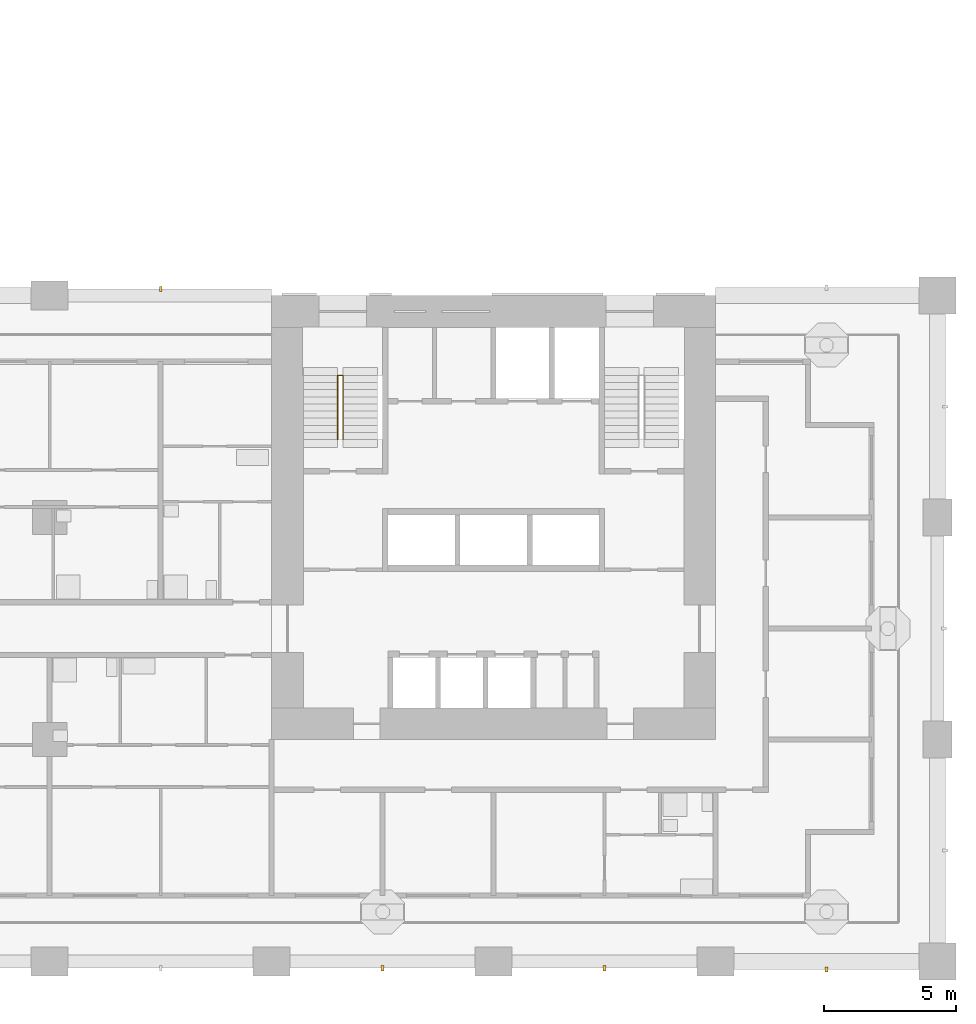
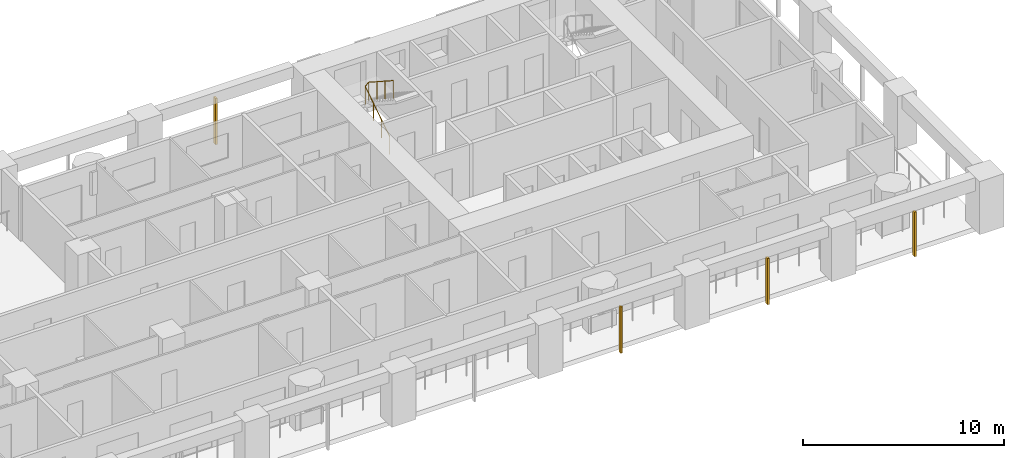
# One storey, part 12 of 20: 4 shading devices, 1 railing.
"""IFC4 building model written with IfcOpenShell, lengths in metres."""

from ifc_helpers import new_model, si_unit, direction, frame, origin, origin_2d, place, context, subcontext, project, spatial, rectangle, circle, extrude, material, material_profile, profile_set, type_object, element, save


model = new_model("IFC4")

# Units and contexts
model_context = context("Model", 3, precision=1e-05, world=origin(), true_north=direction((0.0, 1.0)))
body_context = subcontext(model_context, "Body", "Model", "MODEL_VIEW")
ifc_project = project(units=[si_unit("LENGTHUNIT", "METRE"), si_unit("AREAUNIT", "SQUARE_METRE"), si_unit("VOLUMEUNIT", "CUBIC_METRE"), si_unit("PLANEANGLEUNIT", "RADIAN"), si_unit("MASSUNIT", "GRAM", prefix="KILO")], contexts=[model_context])

# Site, building, storey
site_placement = place(None, origin())
site = spatial("IfcSite", under=ifc_project, at=site_placement, CompositionType="ELEMENT")
building_placement = place(site_placement, origin())
building = spatial("IfcBuilding", under=site, at=building_placement, Name="Vermilion Gate Residences", CompositionType="ELEMENT")
storey_placement = place(building_placement, frame((0.0, 0.0, 39.199951171875)))
storey = spatial("IfcBuildingStorey", under=building, at=storey_placement, Name="L08", CompositionType="ELEMENT", Elevation=39.199951171875)

# Railing
ifc_material_1 = material(Name="Steel S355", Category="steel")
railing_type = type_object("IfcRailingType", Name="STAIR GUARD 1100 STEEL", PredefinedType="GUARDRAIL", material=ifc_material_1)
railing_placement = place(storey_placement, frame((44.5, 19.75, 0.175048828125)))
element("IfcRailing", 1, at=railing_placement, inside=storey, type_object=railing_type, Name="Stair well guard STA1-08", PredefinedType="GUARDRAIL", context=body_context, shape_type="SweptSolid", body=[
    extrude(circle(Radius=0.02392578125, at=origin_2d()), frame((0.0, 0.0, 1.076171875), z_axis=(0.0, 0.839153699163, 0.543894354798), x_axis=(-1.0, 0.0, 0.0)), (0.0, 0.0, 1.0), 2.895751953125),
    extrude(circle(Radius=0.02392578125, at=origin_2d()), frame((0.0, 2.429931640625, 2.65087890625), z_axis=(0.752405939678, 0.0, 0.658699705433), x_axis=(0.0, 1.0, 0.0)), (0.0, 0.0, 1.0), 0.265869140625),
    extrude(circle(Radius=0.02392578125, at=origin_2d()), frame((0.199951171875, 2.429931640625, 2.826171875), z_axis=(0.0, -0.839153699163, 0.543894354798), x_axis=(1.0, 0.0, 0.0)), (0.0, 0.0, 1.0), 2.895751953125),
    extrude(circle(Radius=0.02099609375, at=origin_2d()), origin(), (0.0, 0.0, 1.0), 1.052001953125),
    extrude(circle(Radius=0.02099609375, at=origin_2d()), frame((0.0, 0.81005859375, 0.52490234375)), (0.0, 0.0, 1.0), 1.052001953125),
    extrude(circle(Radius=0.02099609375, at=origin_2d()), frame((0.0, 1.619873046875, 1.050048828125)), (0.0, 0.0, 1.0), 1.052001953125),
    extrude(circle(Radius=0.02099609375, at=origin_2d()), frame((0.0, 2.429931640625, 1.574951171875)), (0.0, 0.0, 1.0), 1.052001953125),
    extrude(circle(Radius=0.02099609375, at=origin_2d()), frame((0.199951171875, 2.429931640625, 1.75)), (0.0, 0.0, 1.0), 1.052001953125),
    extrude(circle(Radius=0.02099609375, at=origin_2d()), frame((0.199951171875, 1.619873046875, 2.27490234375)), (0.0, 0.0, 1.0), 1.052001953125),
    extrude(circle(Radius=0.02099609375, at=origin_2d()), frame((0.199951171875, 0.81005859375, 2.800048828125)), (0.0, 0.0, 1.0), 1.052001953125),
    extrude(circle(Radius=0.02099609375, at=origin_2d()), frame((0.199951171875, 0.0, 3.324951171875)), (0.0, 0.0, 1.0), 1.052001953125),
])

# Shading devices
ifc_material_2 = material(Name="Extruded terracotta", Category="masonry")
ifc_material_profile = material_profile(ifc_material_2, rectangle(XDim=0.199951171875, YDim=0.10009765625, at=origin_2d()), Name="BAGUETTE 100 X 200")
ifc_profile_set = profile_set([ifc_material_profile], Name="Extruded terracotta")
shading_device_type = type_object("IfcShadingDeviceType", Name="TERRACOTTA BAGUETTE 100 X 200", PredefinedType="JALOUSIE", material=ifc_profile_set)
for number, where, z_axis, x_axis, name in (
    (2, (46.199951171875, -0.25, -0.280029296875), (0.0, 0.0, 1.0), (0.0, 1.0, 0.0), "BAGUETTE"),
    (3, (54.60009765625, -0.25, -0.280029296875), (0.0, 0.0, 1.0), (0.0, 1.0, 0.0), "BAGUETTE"),
):
    element("IfcShadingDevice", number, at=place(storey_placement, frame(where, z_axis=z_axis, x_axis=x_axis)), inside=storey, type_object=shading_device_type, Name=name, PredefinedType="JALOUSIE", context=body_context, shape_type="SweptSolid", body=[
        extrude(rectangle(XDim=0.199951171875, YDim=0.10009765625, at=origin_2d()), origin(), (0.0, 0.0, 1.0), 2.800048828125),
    ])
shading_device_1_placement = place(storey_placement, frame((63.0, -0.300048828125, -0.280029296875), z_axis=(0.0, 0.0, 1.0), x_axis=(0.0, 1.0, 0.0)))
element("IfcShadingDevice", 4, at=shading_device_1_placement, inside=storey, type_object=shading_device_type, Name="BAGUETTE", PredefinedType="JALOUSIE", context=body_context, shape_type="SweptSolid", body=[
    extrude(rectangle(XDim=0.199951171875, YDim=0.10009765625, at=origin_2d()), origin(), (0.0, 0.0, 1.0), 2.7001953125),
])
shading_device_2_placement = place(storey_placement, frame((37.800048828125, 25.449951171875, -0.280029296875), z_axis=(0.0, 0.0, 1.0), x_axis=(0.0, -1.0, 0.0)))
element("IfcShadingDevice", 5, at=shading_device_2_placement, inside=storey, type_object=shading_device_type, Name="BAGUETTE", PredefinedType="JALOUSIE", context=body_context, shape_type="SweptSolid", body=[
    extrude(rectangle(XDim=0.199951171875, YDim=0.10009765625, at=origin_2d()), origin(), (0.0, 0.0, 1.0), 2.800048828125),
])

save(model, "model.ifc")
